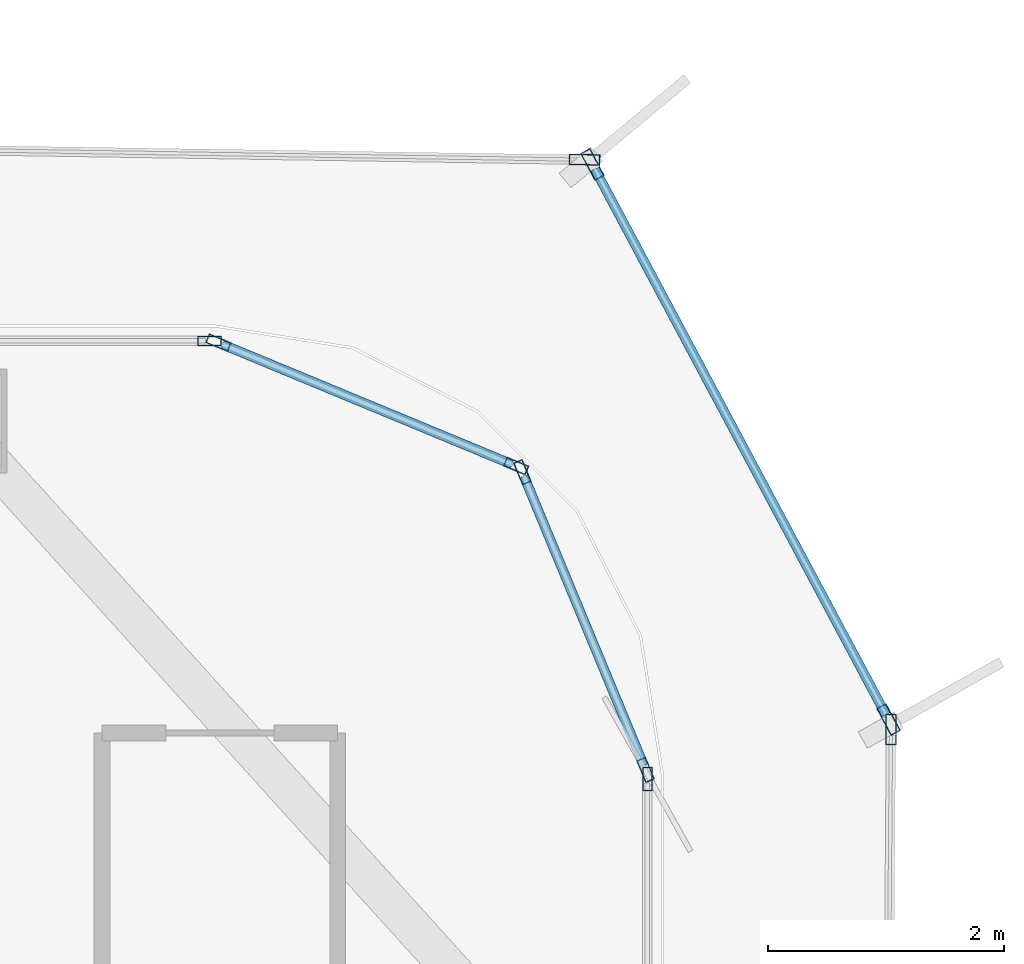
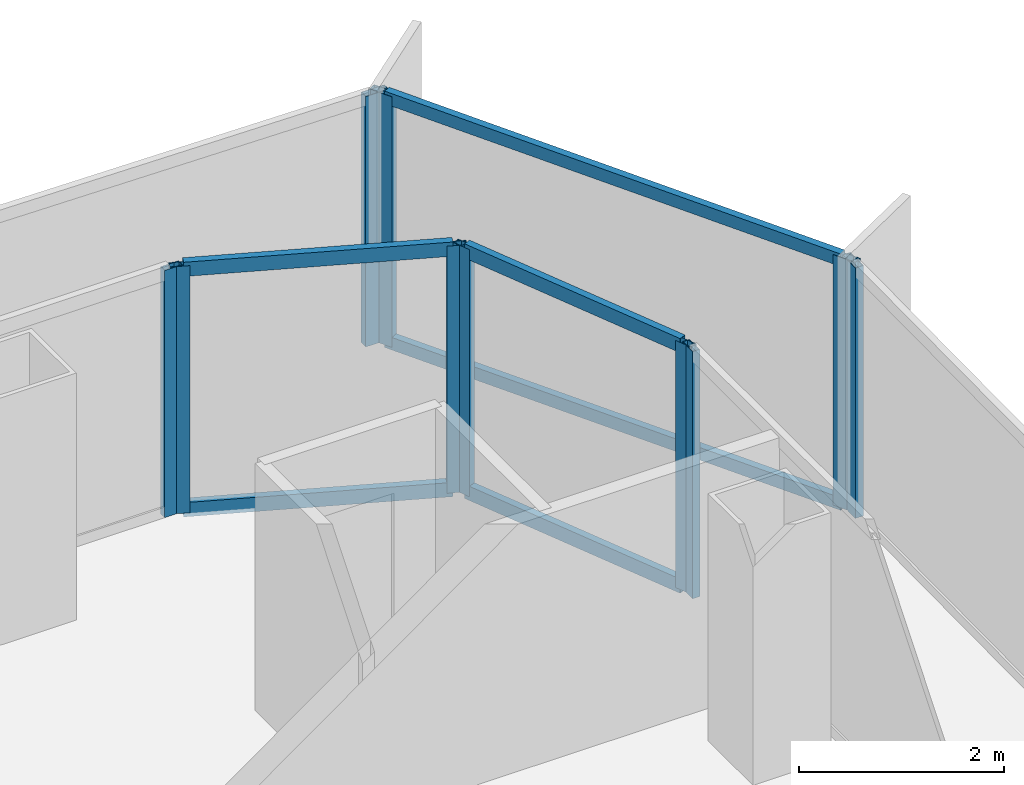
# One storey, part 14 of 21: 16 members, 7 elements without a shape of their own.
"""IFC4 building model written with IfcOpenShell, lengths in metres."""

from ifc_helpers import new_model, si_unit, direction, frame, origin, origin_2d, place, context, subcontext, project, spatial, hollow_rectangle, extrude, source, transform, mapped, material, layer, layer_set, material_profile, profile_set, type_object, element, aggregate, save


model = new_model("IFC4")

# Units and contexts
model_context = context("Model", 3, precision=1e-05, world=origin(), true_north=direction((0.0, 1.0)))
body_context = subcontext(model_context, "Body", "Model", "MODEL_VIEW")
ifc_project = project(units=[si_unit("LENGTHUNIT", "METRE"), si_unit("AREAUNIT", "SQUARE_METRE"), si_unit("VOLUMEUNIT", "CUBIC_METRE"), si_unit("PLANEANGLEUNIT", "RADIAN"), si_unit("MASSUNIT", "GRAM", prefix="KILO")], contexts=[model_context])

# Site, building, storey
site_placement = place(None, origin())
site = spatial("IfcSite", under=ifc_project, at=site_placement, CompositionType="ELEMENT")
building_placement = place(site_placement, origin())
building = spatial("IfcBuilding", under=site, at=building_placement, Name="Kolveth Station Tower", CompositionType="ELEMENT")
storey_placement = place(building_placement, frame((0.0, 0.0, 99.10009765625)))
storey = spatial("IfcBuildingStorey", under=building, at=storey_placement, Name="L26", CompositionType="ELEMENT", Elevation=99.10009765625)

# Curtain wall, member
ifc_material_1 = material(Name="Aluminium 6063-T6 and low-E dark glass", Category="aluminium")
ifc_layer_1 = layer(ifc_material_1, 0.18994140625)
ifc_layer_set_1 = layer_set([ifc_layer_1], Name="Aluminium 6063-T6 and low-E dark glass")
curtain_wall_type_1 = type_object("IfcCurtainWallType", Name="CurtainWall_CW-Z2", PredefinedType="NOTDEFINED", material=ifc_layer_set_1)
curtain_wall_1_placement = place(storey_placement, origin())
curtain_wall_1 = element("IfcCurtainWall", 1, at=curtain_wall_1_placement, inside=storey, type_object=curtain_wall_type_1, Name="L26 Inner Thermal Curtain Wall 3", PredefinedType="NOTDEFINED")
ifc_material_2 = material(Name="Black anodized aluminium 6063-T6", Category="aluminium")
ifc_material_profile_1 = material_profile(ifc_material_2, hollow_rectangle(XDim=0.080078125, YDim=0.199951171875, WallThickness=0.0048828125, at=origin_2d()), Name="ALU-80x200x5")
ifc_profile_set_1 = profile_set([ifc_material_profile_1], Name="Black anodized aluminium 6063-T6")
member_type_1 = type_object("IfcMemberType", Name="Mullion_ML2", PredefinedType="MULLION", material=ifc_profile_set_1)
shared_shape_1 = source(origin(), body_context, "Body", "SweptSolid", [
    extrude(hollow_rectangle(XDim=0.080078125, YDim=0.199951171875, WallThickness=0.0048828125, at=origin_2d()), origin(), (0.0, 0.0, 1.0), 2.949951171875),
])
member_1_placement = place(storey_placement, frame((46.8798828125, 31.4599609375, 0.0), z_axis=(0.0, 0.0, 1.0), x_axis=(-1.0, 0.0, 0.0)))
member_1 = element("IfcMember", 2, at=member_1_placement, type_object=member_type_1, Name="CW-Z2 mullion 2", PredefinedType="MULLION", context=body_context, shape_type="MappedRepresentation", body=[
    mapped(shared_shape_1, transform((0.0, 0.0, 0.0), x_axis=(1.0, 0.0, 0.0), y_axis=(0.0, 1.0, 0.0), z_axis=(0.0, 0.0, 1.0), scale=1.0)),
])
aggregate(curtain_wall_1, [member_1])

# Curtain wall, members
curtain_wall_2_placement = place(storey_placement, origin())
curtain_wall_2 = element("IfcCurtainWall", 3, at=curtain_wall_2_placement, inside=storey, type_object=curtain_wall_type_1, Name="L26 Inner Thermal Curtain Wall 4", PredefinedType="NOTDEFINED")
member_2_placement = place(storey_placement, frame((46.86474609375, 31.536865234375, 0.0), z_axis=(0.0, 0.0, 1.0), x_axis=(-0.923887883787, -0.38266326998, 0.0)))
member_2 = element("IfcMember", 4, at=member_2_placement, type_object=member_type_1, Name="CW-Z2 mullion 1", PredefinedType="MULLION", context=body_context, shape_type="MappedRepresentation", body=[
    mapped(shared_shape_1, transform((0.0, 0.0, 0.0), x_axis=(1.0, 0.0, 0.0), y_axis=(0.0, 1.0, 0.0), z_axis=(0.0, 0.0, 1.0), scale=1.0)),
])
member_3_placement = place(storey_placement, frame((45.817626953125, 34.065185546875, 0.0), z_axis=(0.0, 0.0, 1.0), x_axis=(-0.923887883787, -0.38266326998, 0.0)))
member_3 = element("IfcMember", 5, at=member_3_placement, type_object=member_type_1, Name="CW-Z2 mullion 2", PredefinedType="MULLION", context=body_context, shape_type="MappedRepresentation", body=[
    mapped(shared_shape_1, transform((0.0, 0.0, 0.0), x_axis=(1.0, 0.0, 0.0), y_axis=(0.0, 1.0, 0.0), z_axis=(0.0, 0.0, 1.0), scale=1.0)),
])

curtain_wall_3_placement = place(storey_placement, origin())
curtain_wall_3 = element("IfcCurtainWall", 6, at=curtain_wall_3_placement, inside=storey, type_object=curtain_wall_type_1, Name="L26 Inner Thermal Curtain Wall 5", PredefinedType="NOTDEFINED")
member_4_placement = place(storey_placement, frame((45.76513671875, 34.117431640625, 0.0), z_axis=(0.0, 0.0, 1.0), x_axis=(-0.38266326998, -0.923887883787, 0.0)))
member_4 = element("IfcMember", 7, at=member_4_placement, type_object=member_type_1, Name="CW-Z2 mullion 1", PredefinedType="MULLION", context=body_context, shape_type="MappedRepresentation", body=[
    mapped(shared_shape_1, transform((0.0, 0.0, 0.0), x_axis=(1.0, 0.0, 0.0), y_axis=(0.0, 1.0, 0.0), z_axis=(0.0, 0.0, 1.0), scale=1.0)),
])
member_5_placement = place(storey_placement, frame((43.237060546875, 35.164794921875, 0.0), z_axis=(0.0, 0.0, 1.0), x_axis=(-0.38266326998, -0.923887883787, 0.0)))
member_5 = element("IfcMember", 8, at=member_5_placement, type_object=member_type_1, Name="CW-Z2 mullion 2", PredefinedType="MULLION", context=body_context, shape_type="MappedRepresentation", body=[
    mapped(shared_shape_1, transform((0.0, 0.0, 0.0), x_axis=(1.0, 0.0, 0.0), y_axis=(0.0, 1.0, 0.0), z_axis=(0.0, 0.0, 1.0), scale=1.0)),
])

# Curtain wall, member
curtain_wall_4_placement = place(storey_placement, origin())
curtain_wall_4 = element("IfcCurtainWall", 9, at=curtain_wall_4_placement, inside=storey, type_object=curtain_wall_type_1, Name="L26 Inner Thermal Curtain Wall 6", PredefinedType="NOTDEFINED")
member_6_placement = place(storey_placement, frame((43.159912109375, 35.179931640625, 0.0), z_axis=(0.0, 0.0, 1.0), x_axis=(0.0, -1.0, 0.0)))
member_6 = element("IfcMember", 10, at=member_6_placement, type_object=member_type_1, Name="CW-Z2 mullion 1", PredefinedType="MULLION", context=body_context, shape_type="MappedRepresentation", body=[
    mapped(shared_shape_1, transform((0.0, 0.0, 0.0), x_axis=(1.0, 0.0, 0.0), y_axis=(0.0, 1.0, 0.0), z_axis=(0.0, 0.0, 1.0), scale=1.0)),
])
aggregate(curtain_wall_4, [member_6])

# Member
ifc_material_profile_2 = material_profile(ifc_material_2, hollow_rectangle(XDim=0.080078125, YDim=0.169921875, WallThickness=0.0048828125, at=origin_2d()), Name="ALU-80x170x5")
ifc_profile_set_2 = profile_set([ifc_material_profile_2], Name="Black anodized aluminium 6063-T6")
member_type_2 = type_object("IfcMemberType", Name="Transom_TR2", PredefinedType="USERDEFINED", material=ifc_profile_set_2)
shared_shape_2 = source(origin(), body_context, "Body", "SweptSolid", [
    extrude(hollow_rectangle(XDim=0.080078125, YDim=0.169921875, WallThickness=0.0048828125, at=origin_2d()), origin(), (0.0, 0.0, 1.0), 2.656494140625),
])
member_7_placement = place(storey_placement, frame((46.849365234375, 31.573974609375, 0.039794921875), z_axis=(-0.382676455475, 0.923882422403, 0.0), x_axis=(-0.923882422403, -0.382676455475, 0.0)))
member_7 = element("IfcMember", 11, at=member_7_placement, type_object=member_type_2, Name="CW-Z2 transom 1.1", ObjectType="TRANSOM", PredefinedType="USERDEFINED", context=body_context, shape_type="MappedRepresentation", body=[
    mapped(shared_shape_2, transform((0.0, 0.0, 0.0), x_axis=(1.0, 0.0, 0.0), y_axis=(0.0, 1.0, 0.0), z_axis=(0.0, 0.0, 1.0), scale=1.0)),
])

member_8_placement = place(storey_placement, frame((46.849365234375, 31.573974609375, 2.909912109375), z_axis=(-0.382676455475, 0.923882422403, 0.0), x_axis=(-0.923882422403, -0.382676455475, 0.0)))
member_8 = element("IfcMember", 12, at=member_8_placement, type_object=member_type_2, Name="CW-Z2 transom 1.2", ObjectType="TRANSOM", PredefinedType="USERDEFINED", context=body_context, shape_type="MappedRepresentation", body=[
    mapped(shared_shape_2, transform((0.0, 0.0, 0.0), x_axis=(1.0, 0.0, 0.0), y_axis=(0.0, 1.0, 0.0), z_axis=(0.0, 0.0, 1.0), scale=1.0)),
])

aggregate(curtain_wall_2, [member_2, member_3, member_7, member_8])

member_9_placement = place(storey_placement, frame((45.728271484375, 34.1328125, 0.039794921875), z_axis=(-0.923882422403, 0.382676455475, 0.0), x_axis=(-0.382676455475, -0.923882422403, 0.0)))
member_9 = element("IfcMember", 13, at=member_9_placement, type_object=member_type_2, Name="CW-Z2 transom 1.1", ObjectType="TRANSOM", PredefinedType="USERDEFINED", context=body_context, shape_type="MappedRepresentation", body=[
    mapped(shared_shape_2, transform((0.0, 0.0, 0.0), x_axis=(1.0, 0.0, 0.0), y_axis=(0.0, 1.0, 0.0), z_axis=(0.0, 0.0, 1.0), scale=1.0)),
])

member_10_placement = place(storey_placement, frame((45.728271484375, 34.1328125, 2.909912109375), z_axis=(-0.923882422403, 0.382676455475, 0.0), x_axis=(-0.382676455475, -0.923882422403, 0.0)))
member_10 = element("IfcMember", 14, at=member_10_placement, type_object=member_type_2, Name="CW-Z2 transom 1.2", ObjectType="TRANSOM", PredefinedType="USERDEFINED", context=body_context, shape_type="MappedRepresentation", body=[
    mapped(shared_shape_2, transform((0.0, 0.0, 0.0), x_axis=(1.0, 0.0, 0.0), y_axis=(0.0, 1.0, 0.0), z_axis=(0.0, 0.0, 1.0), scale=1.0)),
])

aggregate(curtain_wall_3, [member_4, member_5, member_9, member_10])

# Curtain wall, member
ifc_material_3 = material(Name="Black anodized aluminium 6063-T6 and dark solar glass", Category="aluminium")
ifc_layer_2 = layer(ifc_material_3, 0.159912109375)
ifc_layer_set_2 = layer_set([ifc_layer_2], Name="Black anodized aluminium 6063-T6 and dark solar glass")
curtain_wall_type_2 = type_object("IfcCurtainWallType", Name="OUTER SKIN CW-OS", PredefinedType="NOTDEFINED", material=ifc_layer_set_2)
curtain_wall_5_placement = place(storey_placement, origin())
curtain_wall_5 = element("IfcCurtainWall", 15, at=curtain_wall_5_placement, inside=storey, type_object=curtain_wall_type_2, Name="L26 Outer Ventilated Skin Curtain Wall 2", PredefinedType="NOTDEFINED")
ifc_material_profile_3 = material_profile(ifc_material_2, hollow_rectangle(XDim=0.090087890625, YDim=0.260009765625, WallThickness=0.0048828125, at=origin_2d()), Name="ALU-90x260x5")
ifc_profile_set_3 = profile_set([ifc_material_profile_3], Name="Black anodized aluminium 6063-T6")
member_type_3 = type_object("IfcMemberType", Name="FIN MULLION ML-OS", PredefinedType="MULLION", material=ifc_profile_set_3)
shared_shape_3 = source(origin(), body_context, "Body", "SweptSolid", [
    extrude(hollow_rectangle(XDim=0.090087890625, YDim=0.260009765625, WallThickness=0.0048828125, at=origin_2d()), origin(), (0.0, 0.0, 1.0), 2.989990234375),
])
member_11_placement = place(storey_placement, frame((48.948486328125, 31.8798828125, 0.0), z_axis=(0.0, 0.0, 1.0), x_axis=(-0.999970191578, 0.007721136968, 0.0)))
member_11 = element("IfcMember", 16, at=member_11_placement, type_object=member_type_3, Name="CW-OS mullion 2", PredefinedType="MULLION", context=body_context, shape_type="MappedRepresentation", body=[
    mapped(shared_shape_3, transform((0.0, 0.0, 0.0), x_axis=(1.0, 0.0, 0.0), y_axis=(0.0, 1.0, 0.0), z_axis=(0.0, 0.0, 1.0), scale=1.0)),
])
aggregate(curtain_wall_5, [member_11])

# Curtain wall, members
curtain_wall_6_placement = place(storey_placement, origin())
curtain_wall_6 = element("IfcCurtainWall", 17, at=curtain_wall_6_placement, inside=storey, type_object=curtain_wall_type_2, Name="L26 Outer Ventilated Skin Curtain Wall 3", PredefinedType="NOTDEFINED")
member_12_placement = place(storey_placement, frame((48.927734375, 31.964599609375, 0.0), z_axis=(0.0, 0.0, 1.0), x_axis=(-0.882327971417, -0.470635050601, 0.0)))
member_12 = element("IfcMember", 18, at=member_12_placement, type_object=member_type_3, Name="CW-OS mullion 1", PredefinedType="MULLION", context=body_context, shape_type="MappedRepresentation", body=[
    mapped(shared_shape_3, transform((0.0, 0.0, 0.0), x_axis=(1.0, 0.0, 0.0), y_axis=(0.0, 1.0, 0.0), z_axis=(0.0, 0.0, 1.0), scale=1.0)),
])
member_13_placement = place(storey_placement, frame((46.413330078125, 36.678466796875, 0.0), z_axis=(0.0, 0.0, 1.0), x_axis=(-0.882327971417, -0.470635050601, 0.0)))
member_13 = element("IfcMember", 19, at=member_13_placement, type_object=member_type_3, Name="CW-OS mullion 2", PredefinedType="MULLION", context=body_context, shape_type="MappedRepresentation", body=[
    mapped(shared_shape_3, transform((0.0, 0.0, 0.0), x_axis=(1.0, 0.0, 0.0), y_axis=(0.0, 1.0, 0.0), z_axis=(0.0, 0.0, 1.0), scale=1.0)),
])

# Curtain wall, member
curtain_wall_7_placement = place(storey_placement, origin())
curtain_wall_7 = element("IfcCurtainWall", 20, at=curtain_wall_7_placement, inside=storey, type_object=curtain_wall_type_2, Name="L26 Outer Ventilated Skin Curtain Wall 4", PredefinedType="NOTDEFINED")
member_14_placement = place(storey_placement, frame((46.34716796875, 36.718994140625, 0.0), z_axis=(0.0, 0.0, 1.0), x_axis=(-0.015435867597, -0.999880859899, 0.0)))
member_14 = element("IfcMember", 21, at=member_14_placement, type_object=member_type_3, Name="CW-OS mullion 1", PredefinedType="MULLION", context=body_context, shape_type="MappedRepresentation", body=[
    mapped(shared_shape_3, transform((0.0, 0.0, 0.0), x_axis=(1.0, 0.0, 0.0), y_axis=(0.0, 1.0, 0.0), z_axis=(0.0, 0.0, 1.0), scale=1.0)),
])
aggregate(curtain_wall_7, [member_14])

# Member
ifc_material_profile_4 = material_profile(ifc_material_2, hollow_rectangle(XDim=0.080078125, YDim=0.14990234375, WallThickness=0.0048828125, at=origin_2d()), Name="ALU-80x150x5")
ifc_profile_set_4 = profile_set([ifc_material_profile_4], Name="Black anodized aluminium 6063-T6")
member_type_4 = type_object("IfcMemberType", Name="Transom_TR-OS", PredefinedType="USERDEFINED", material=ifc_profile_set_4)
shared_shape_4 = source(origin(), body_context, "Body", "SweptSolid", [
    extrude(hollow_rectangle(XDim=0.080078125, YDim=0.14990234375, WallThickness=0.0048828125, at=origin_2d()), origin(), (0.0, 0.0, 1.0), 5.25244140625),
])
member_15_placement = place(storey_placement, frame((48.906494140625, 32.00439453125, 0.039794921875), z_axis=(-0.470634073682, 0.882328492507, 0.0), x_axis=(-0.882328492507, -0.470634073682, 0.0)))
member_15 = element("IfcMember", 22, at=member_15_placement, type_object=member_type_4, Name="CW-OS transom 1.1", ObjectType="TRANSOM", PredefinedType="USERDEFINED", context=body_context, shape_type="MappedRepresentation", body=[
    mapped(shared_shape_4, transform((0.0, 0.0, 0.0), x_axis=(1.0, 0.0, 0.0), y_axis=(0.0, 1.0, 0.0), z_axis=(0.0, 0.0, 1.0), scale=1.0)),
])

member_16_placement = place(storey_placement, frame((48.906494140625, 32.00439453125, 2.949951171875), z_axis=(-0.470634073682, 0.882328492507, 0.0), x_axis=(-0.882328492507, -0.470634073682, 0.0)))
member_16 = element("IfcMember", 23, at=member_16_placement, type_object=member_type_4, Name="CW-OS transom 1.2", ObjectType="TRANSOM", PredefinedType="USERDEFINED", context=body_context, shape_type="MappedRepresentation", body=[
    mapped(shared_shape_4, transform((0.0, 0.0, 0.0), x_axis=(1.0, 0.0, 0.0), y_axis=(0.0, 1.0, 0.0), z_axis=(0.0, 0.0, 1.0), scale=1.0)),
])

aggregate(curtain_wall_6, [member_12, member_13, member_15, member_16])

save(model, "model.ifc")
